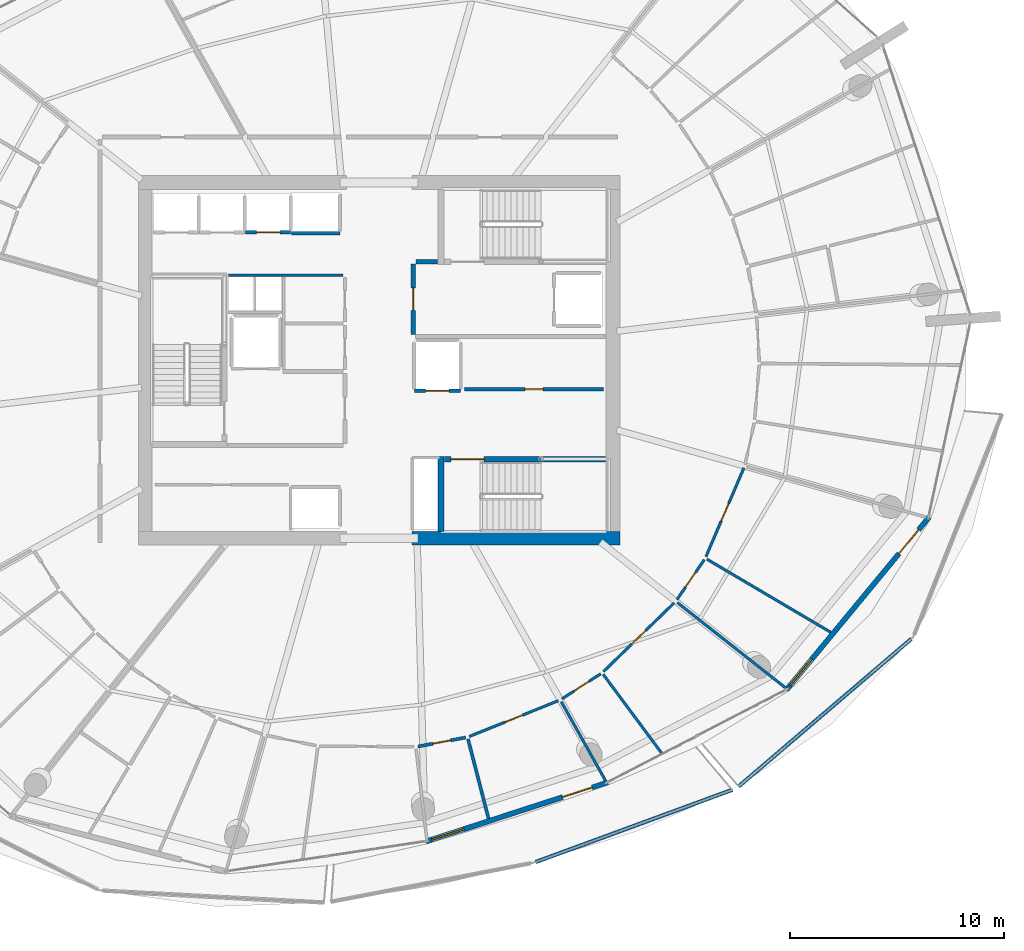
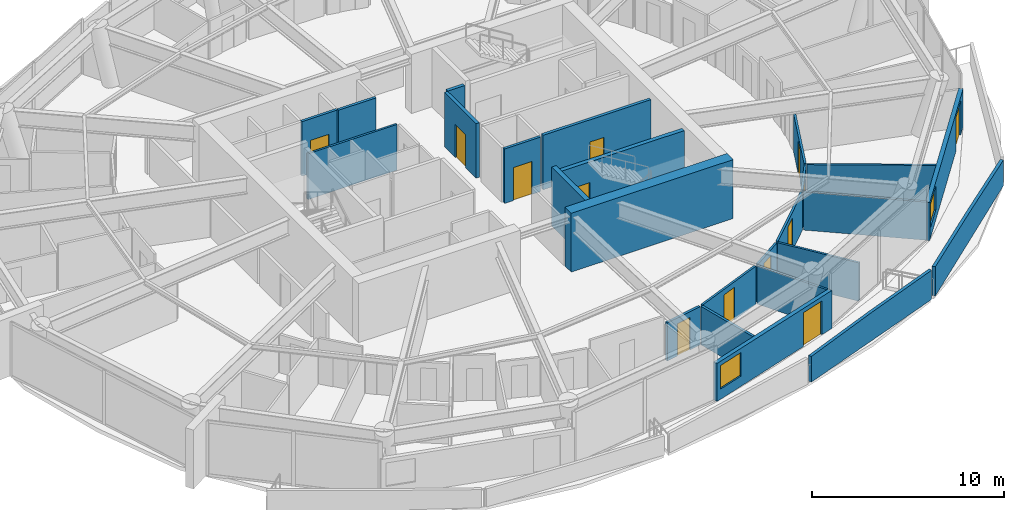
# One storey, part 12 of 20: 25 walls, 13 doors, 2 windows, 15 openings.
"""IFC4 building model written with IfcOpenShell, lengths in metres."""

import ifcopenshell
import ifcopenshell.guid

model = None  # the IFC model being written
_history = None  # IfcOwnerHistory: only IFC2X3 demands one
_inside = {}  # id of a spatial element -> (the spatial element, [elements in it])
_under = {}  # id of a project, library or spatial element -> (it, [spatial elements below it])
_declared = {}  # id of a project -> (the project, [libraries it declares])
_typed = {}  # id of a type object -> (the type object, [elements of that type])
_made_of = {}  # id of a material, layer set ... -> (it, [elements and type objects made of it])


def new_model(schema):
    """Start an empty IFC model of exactly this schema.

    Asked for "IFC4X3", IfcOpenShell would pick the latest addendum, in which some entities
    have other attributes; the version numbers below select the first issue.
    IFC2X3 requires an IfcOwnerHistory on every rooted entity: one is made here for all.
    """
    global model, _history
    if schema == "IFC4X3":
        model = ifcopenshell.file(schema_version=(4, 3, 0, 0))
    else:
        model = ifcopenshell.file(schema=schema)
    _inside.clear()
    _under.clear()
    _declared.clear()
    _typed.clear()
    _made_of.clear()
    _history = None
    if model.schema == "IFC2X3":
        org = make("IfcOrganization", Name="unknown")
        user = make(
            "IfcPersonAndOrganization",
            ThePerson=make("IfcPerson", FamilyName="unknown"),
            TheOrganization=org,
        )
        app = make(
            "IfcApplication",
            ApplicationDeveloper=org,
            Version="unknown",
            ApplicationFullName="unknown",
            ApplicationIdentifier="unknown",
        )
        _history = make(
            "IfcOwnerHistory",
            OwningUser=user,
            OwningApplication=app,
            ChangeAction="ADDED",
            CreationDate=0,
        )
    return model


def make(cls, **values):
    """One entity of the class cls with the attributes given. An attribute that is None is left unset."""
    return model.create_entity(
        cls, **{name: value for name, value in values.items() if value is not None}
    )


def rooted(cls, **values):
    """An entity with a GlobalId (a new one), such as an element, a storey or a relation."""
    return make(cls, GlobalId=ifcopenshell.guid.new(), OwnerHistory=_history, **values)


def si_unit(unit_type, name, prefix=None):
    """IfcSIUnit, for example si_unit("LENGTHUNIT", "METRE", prefix="MILLI")."""
    return make("IfcSIUnit", UnitType=unit_type, Prefix=prefix, Name=name)


def assignment(units):
    """IfcUnitAssignment: the units of a project."""
    return None if units is None else make("IfcUnitAssignment", Units=units)


def point(xyz):
    """IfcCartesianPoint."""
    return None if xyz is None else make("IfcCartesianPoint", Coordinates=xyz)


def direction(xyz):
    """IfcDirection."""
    return None if xyz is None else make("IfcDirection", DirectionRatios=xyz)


def frame(location, z_axis=None, x_axis=None):
    """IfcAxis2Placement3D, a coordinate frame: its origin and axes. An axis left out is left unset."""
    return make(
        "IfcAxis2Placement3D",
        Location=point(location),
        Axis=direction(z_axis),
        RefDirection=direction(x_axis),
    )


def frame_2d(location, x_axis=None):
    """IfcAxis2Placement2D, a coordinate frame in the plane: its origin and x axis."""
    return make(
        "IfcAxis2Placement2D", Location=point(location), RefDirection=direction(x_axis)
    )


def origin():
    """The frame at (0, 0, 0) with its axes left unset."""
    return frame((0.0, 0.0, 0.0))


def place(relative_to, where):
    """IfcLocalPlacement: puts the frame where relative to a parent placement (None: the world)."""
    return make(
        "IfcLocalPlacement", PlacementRelTo=relative_to, RelativePlacement=where
    )


def context(
    kind, dimensions, precision=None, world=None, true_north=None, identifier=None
):
    """IfcGeometricRepresentationContext, for example the 3D "Model" context."""
    return make(
        "IfcGeometricRepresentationContext",
        ContextIdentifier=identifier,
        ContextType=kind,
        CoordinateSpaceDimension=dimensions,
        Precision=precision,
        WorldCoordinateSystem=world,
        TrueNorth=true_north,
    )


def subcontext(parent, identifier, kind, view, scale=None):
    """IfcGeometricRepresentationSubContext, for example "Body" below "Model"."""
    return make(
        "IfcGeometricRepresentationSubContext",
        ContextIdentifier=identifier,
        ContextType=kind,
        ParentContext=parent,
        TargetScale=scale,
        TargetView=view,
    )


def project(units=None, contexts=None):
    """IfcProject with its units and contexts."""
    return rooted(
        "IfcProject",
        Name="project",
        RepresentationContexts=contexts,
        UnitsInContext=assignment(units),
    )


def spatial(cls, under=None, at=None, **own):
    """A site, building, storey or space (cls), placed at a placement, below another one or the project."""
    s = rooted(cls, ObjectPlacement=at, **own)
    if under is not None:
        _under.setdefault(under.id(), (under, []))[1].append(s)
    return s


def polyline(points):
    """IfcPolyline through the points."""
    return make("IfcPolyline", Points=[point(p) for p in points])


def profile(cls, at=None, kind="AREA", **sizes):
    """A parametric profile (cls). Its sizes go by their IFC names, for example OverallWidth=200.0."""
    return make(cls, ProfileType=kind, Position=at, **sizes)


def rectangle(**sizes):
    """IfcRectangleProfileDef."""
    return profile("IfcRectangleProfileDef", **sizes)


def outline(outer, holes=None, kind="AREA"):
    """IfcArbitraryClosedProfileDef: a profile drawn as a closed curve; with holes, ...WithVoids."""
    if holes is None:
        return make("IfcArbitraryClosedProfileDef", ProfileType=kind, OuterCurve=outer)
    return make(
        "IfcArbitraryProfileDefWithVoids",
        ProfileType=kind,
        OuterCurve=outer,
        InnerCurves=holes,
    )


def extrude(swept, where, along, depth):
    """IfcExtrudedAreaSolid: the profile swept, set in the frame where, extruded along a direction by depth."""
    return make(
        "IfcExtrudedAreaSolid",
        SweptArea=swept,
        Position=where,
        ExtrudedDirection=direction(along),
        Depth=depth,
    )


def shape(context_of_items, identifier, shape_type, items):
    """IfcShapeRepresentation: the items that make up one representation, for example the "Body"."""
    return make(
        "IfcShapeRepresentation",
        ContextOfItems=context_of_items,
        RepresentationIdentifier=identifier,
        RepresentationType=shape_type,
        Items=items,
    )


def material(Name=None, Category=None):
    """IfcMaterial."""
    return make("IfcMaterial", Name=Name, Category=Category)


def layer(
    of_material, thickness, ventilated=None, Name=None, Category=None, Priority=None
):
    """IfcMaterialLayer: one layer of a wall or slab, of a material (None: an air gap)."""
    return make(
        "IfcMaterialLayer",
        Material=of_material,
        LayerThickness=thickness,
        IsVentilated=ventilated,
        Name=Name,
        Category=Category,
        Priority=Priority,
    )


def layer_set(layers, Name=None):
    """IfcMaterialLayerSet."""
    return make("IfcMaterialLayerSet", MaterialLayers=layers, LayerSetName=Name)


def made_of(thing, what):
    """Note that an element or type object is made of a material, layer set ...; save() writes the relation."""
    if what is not None:
        _made_of.setdefault(what.id(), (what, []))[1].append(thing)
    return thing


def type_object(cls, material=None, **own):
    """A type object (cls), such as IfcWallType, which elements share."""
    return made_of(rooted(cls, **own), material)


def element(
    cls,
    number,
    at=None,
    inside=None,
    cuts=None,
    type_object=None,
    material=None,
    context=None,
    identifier="Body",
    shape_type=None,
    held_by="IfcProductDefinitionShape",
    body=None,
    shapes=None,
    **own,
):
    """One element of the class cls, such as IfcWall. Its Tag is "e" and its number.

    at: its placement. inside: the storey or other place that contains it. cuts: it is an
    opening in that element (IfcRelVoidsElement). A single representation is given by context,
    identifier, shape_type and body (its items); several are given by shapes. held_by: the class
    of the entity that holds the representations. save() writes the other relations.
    """
    e = rooted(cls, Tag="e%d" % number, ObjectPlacement=at, **own)
    if body is not None:
        shapes = [shape(context, identifier, shape_type, body)]
    if shapes is not None:
        e.Representation = make(held_by, Representations=shapes)
    if inside is not None:
        _inside.setdefault(inside.id(), (inside, []))[1].append(e)
    if cuts is not None:
        rooted(
            "IfcRelVoidsElement", RelatingBuildingElement=cuts, RelatedOpeningElement=e
        )
    if type_object is not None:
        _typed.setdefault(type_object.id(), (type_object, []))[1].append(e)
    return made_of(e, material)


def fill(opening, filler):
    """IfcRelFillsElement: the door or window that sits in an opening."""
    return rooted(
        "IfcRelFillsElement",
        RelatingOpeningElement=opening,
        RelatedBuildingElement=filler,
    )


def aggregate(whole, parts):
    """IfcRelAggregates: a whole, such as a stair, and the parts it consists of."""
    return rooted("IfcRelAggregates", RelatingObject=whole, RelatedObjects=parts)


def save(model, path):
    """Write the relations noted so far, then the file.

    IfcRelAggregates (storeys below a building ...), IfcRelContainedInSpatialStructure (elements
    in a storey), IfcRelDefinesByType, IfcRelAssociatesMaterial and IfcRelDeclares: one each for
    every whole, place, type object, material and project.
    """
    for whole, parts in _under.values():
        aggregate(whole, parts)
    for where, things in _inside.values():
        rooted(
            "IfcRelContainedInSpatialStructure",
            RelatedElements=things,
            RelatingStructure=where,
        )
    for kind, things in _typed.values():
        rooted("IfcRelDefinesByType", RelatedObjects=things, RelatingType=kind)
    for what, things in _made_of.values():
        rooted("IfcRelAssociatesMaterial", RelatedObjects=things, RelatingMaterial=what)
    for by, libraries in _declared.values():
        rooted("IfcRelDeclares", RelatingContext=by, RelatedDefinitions=libraries)
    model.write(path)


model = new_model("IFC4")

# Units and contexts
model_context = context("Model", 3, precision=1e-05, world=origin(), true_north=direction((0.0, 1.0)))
body_context = subcontext(model_context, "Body", "Model", "MODEL_VIEW")
ifc_project = project(units=[si_unit("LENGTHUNIT", "METRE"), si_unit("AREAUNIT", "SQUARE_METRE"), si_unit("VOLUMEUNIT", "CUBIC_METRE"), si_unit("PLANEANGLEUNIT", "RADIAN"), si_unit("MASSUNIT", "GRAM", prefix="KILO")], contexts=[model_context])

# Site, building, storey
site_placement = place(None, origin())
site = spatial("IfcSite", under=ifc_project, at=site_placement, CompositionType="ELEMENT")
building_placement = place(site_placement, origin())
building = spatial("IfcBuilding", under=site, at=building_placement, Name="Kazma Halo Residences", CompositionType="ELEMENT")
storey_placement = place(building_placement, frame((0.0, 0.0, 221.550048828125)))
storey = spatial("IfcBuildingStorey", under=building, at=storey_placement, Name="L56", CompositionType="ELEMENT", Elevation=221.550048828125)

# Walls
ifc_material_1 = material(Name="White Concrete C50/60 Balustrade", Category="concrete")
ifc_layer_1 = layer(ifc_material_1, 0.179931640625)
ifc_layer_set_1 = layer_set([ifc_layer_1], Name="White Concrete C50/60 Balustrade")
wall_type_1 = type_object("IfcWallType", Name="WL-BAL-WAVE-180", PredefinedType="PARAPET", material=ifc_layer_set_1)
wall_1_placement = place(storey_placement, frame((55.755615234375, 18.518310546875, 0.0), z_axis=(0.0, 0.0, 1.0), x_axis=(0.938669265972, 0.344818806214, 0.0)))
element("IfcWall", 1, at=wall_1_placement, inside=storey, type_object=wall_type_1, Name="L56 white wave balustrade wall SSE.2", PredefinedType="PARAPET", context=body_context, shape_type="SweptSolid", body=[
    extrude(outline(polyline([(0.0, 0.0), (9.802734375, 0.0), (9.802490234375, 1.85986328125), (4.9013671875, 1.7978515625), (0.0, 1.6318359375), (0.0, 0.0)])), frame((0.0, 0.08984375, 0.0), z_axis=(0.0, -1.0, 0.0), x_axis=(1.0, 0.0, 0.0)), (0.0, 0.0, 1.0), 0.179931640625),
])
wall_2_placement = place(storey_placement, frame((65.248291015625, 22.052978515625, 0.0), z_axis=(0.0, 0.0, 1.0), x_axis=(0.760227532438, 0.649656908624, 0.0)))
element("IfcWall", 2, at=wall_2_placement, inside=storey, type_object=wall_type_1, Name="L56 white wave balustrade wall SE.1", PredefinedType="PARAPET", context=body_context, shape_type="SweptSolid", body=[
    extrude(outline(polyline([(0.0, 0.0), (10.640380859375, 0.0), (10.640380859375, 1.6318359375), (5.3203125, 1.7978515625), (0.0, 1.85986328125), (0.0, 0.0)])), frame((0.0, 0.08984375, 0.0), z_axis=(0.0, -1.0, 0.0), x_axis=(1.0, 0.0, 0.0)), (0.0, 0.0, 1.0), 0.179931640625),
])
ifc_material_2 = material(Name="Concrete C60/75", Category="concrete")
ifc_layer_2 = layer(ifc_material_2, 0.64990234375)
ifc_layer_set_2 = layer_set([ifc_layer_2], Name="Concrete C60/75")
wall_type_2 = type_object("IfcWallType", Name="WL-CORE-650", PredefinedType="SHEAR", material=ifc_layer_set_2)
wall_3_placement = place(storey_placement, frame((49.949951171875, 33.675048828125, 0.0), z_axis=(0.0, 0.0, 1.0), x_axis=(1.0, 0.0, 0.0)))
element("IfcWall", 3, at=wall_3_placement, inside=storey, type_object=wall_type_2, Name="L56 central core shear wall SE", PredefinedType="SHEAR", context=body_context, shape_type="SweptSolid", body=[
    extrude(rectangle(XDim=9.75, YDim=0.64990234375, at=frame_2d((4.875, 0.0))), origin(), (0.0, 0.0, 1.0), 3.75),
])
ifc_layer_3 = layer(ifc_material_2, 0.280029296875)
ifc_layer_set_3 = layer_set([ifc_layer_3], Name="Concrete C60/75")
wall_type_3 = type_object("IfcWallType", Name="WL-CORE-ST-280", PredefinedType="SHEAR", material=ifc_layer_set_3)
wall_4_placement = place(storey_placement, frame((51.31005859375, 34.0, 0.0), z_axis=(0.0, 0.0, 1.0), x_axis=(0.0, 1.0, 0.0)))
element("IfcWall", 4, at=wall_4_placement, inside=storey, type_object=wall_type_3, Name="L56 stairwell bearing wall ST03-W", PredefinedType="SHEAR", context=body_context, shape_type="SweptSolid", body=[
    extrude(rectangle(XDim=3.5, YDim=0.280029296875, at=frame_2d((1.75, 0.0))), origin(), (0.0, 0.0, 1.0), 3.75),
])

# Wall, openings, door, window
ifc_material_3 = material(Name="Insulated Pale-Metal Composite Wall")
ifc_layer_4 = layer(ifc_material_3, 0.239990234375)
ifc_layer_set_4 = layer_set([ifc_layer_4], Name="Insulated Pale-Metal Composite Wall")
wall_type_4 = type_object("IfcWallType", Name="WL-EXT-HOST-240", PredefinedType="SOLIDWALL", material=ifc_layer_set_4)
wall_5_placement = place(storey_placement, frame((50.61572265625, 19.481201171875, 0.0), z_axis=(0.0, 0.0, 1.0), x_axis=(0.951058543936, 0.309010753869, 0.0)))
wall_5 = element("IfcWall", 5, at=wall_5_placement, inside=storey, type_object=wall_type_4, Name="L56 exterior terrace-access wall B12", PredefinedType="SOLIDWALL", context=body_context, shape_type="SweptSolid", body=[
    extrude(rectangle(XDim=8.942138671875, YDim=0.239990234375, at=frame_2d((4.47119140625, 0.0))), origin(), (0.0, 0.0, 1.0), 2.419921875),
])
opening_1_placement = place(wall_5_placement, frame((6.721923828125, 0.0, 0.0)))
opening_1 = element("IfcOpeningElement", 6, at=opening_1_placement, cuts=wall_5, Name="Opening DTR-1600", PredefinedType="OPENING", context=body_context, shape_type="SweptSolid", body=[
    extrude(rectangle(XDim=1.449951171875, YDim=2.14990234375, at=frame_2d((0.72509765625, 1.074951171875))), frame((0.0, 0.1298828125, 0.0), z_axis=(0.0, -1.0, 0.0), x_axis=(1.0, 0.0, 0.0)), (0.0, 0.0, 1.0), 0.260009765625),
])
opening_2_placement = place(wall_5_placement, frame((0.280029296875, 0.0, 0.64990234375)))
opening_2 = element("IfcOpeningElement", 7, at=opening_2_placement, cuts=wall_5, Name="Opening W-1800", PredefinedType="OPENING", context=body_context, shape_type="SweptSolid", body=[
    extrude(rectangle(XDim=1.60009765625, YDim=1.5, at=frame_2d((0.800048828125, 0.75))), frame((0.0, 0.1298828125, 0.0), z_axis=(0.0, -1.0, 0.0), x_axis=(1.0, 0.0, 0.0)), (0.0, 0.0, 1.0), 0.260009765625),
])
ifc_material_4 = material(Name="Aluminium AW-6063 T6 Double-Glazed Terrace Door", Category="aluminium")
door_type_1 = type_object("IfcDoorType", Name="DR-EXT-TERR-1600", OperationType="NOTDEFINED", PredefinedType="DOOR", material=ifc_material_4)
door_1_placement = place(opening_1_placement, origin())
door_1 = element("IfcDoor", 8, at=door_1_placement, inside=storey, type_object=door_type_1, Name="L56 B12 balcony terrace door", OperationType="DOUBLE_DOOR_SLIDING", OverallHeight=2.14990234375, OverallWidth=1.449951171875, PredefinedType="DOOR", context=body_context, shape_type="SweptSolid", body=[
    extrude(rectangle(XDim=1.449951171875, YDim=2.14990234375, at=frame_2d((0.72509765625, 1.074951171875))), frame((0.0, 0.02490234375, 0.0), z_axis=(0.0, -1.0, 0.0), x_axis=(1.0, 0.0, 0.0)), (0.0, 0.0, 1.0), 0.050048828125),
])
fill(opening_1, door_1)
ifc_material_5 = material(Name="Clear Triple-Silver Low-E Glass in Aluminium AW-6063 T6 Frame", Category="aluminium")
window_type = type_object("IfcWindowType", Name="WIN-RES-1800", PartitioningType="DOUBLE_PANEL_VERTICAL", PredefinedType="WINDOW", material=ifc_material_5)
window_1_placement = place(opening_2_placement, origin())
window_1 = element("IfcWindow", 9, at=window_1_placement, inside=storey, type_object=window_type, Name="L56 B12 apartment window", OverallHeight=1.5, OverallWidth=1.60009765625, PartitioningType="SINGLE_PANEL", PredefinedType="WINDOW", context=body_context, shape_type="SweptSolid", body=[
    extrude(rectangle(XDim=1.60009765625, YDim=1.5, at=frame_2d((0.800048828125, 0.75))), frame((0.0, 0.030029296875, 0.0), z_axis=(0.0, -1.0, 0.0), x_axis=(1.0, 0.0, 0.0)), (0.0, 0.0, 1.0), 0.06005859375),
])
fill(opening_2, window_1)

wall_6_placement = place(storey_placement, frame((67.485107421875, 26.57568359375, 0.0), z_axis=(0.0, 0.0, 1.0), x_axis=(0.636759394418, 0.771062561418, 0.0)))
wall_6 = element("IfcWall", 10, at=wall_6_placement, inside=storey, type_object=wall_type_4, Name="L56 exterior terrace-access wall B14", PredefinedType="SOLIDWALL", context=body_context, shape_type="SweptSolid", body=[
    extrude(rectangle(XDim=10.494384765625, YDim=0.239990234375, at=frame_2d((5.2470703125, 0.0))), origin(), (0.0, 0.0, 1.0), 2.419921875),
])
opening_3_placement = place(wall_6_placement, frame((8.2744140625, 0.0, 0.0)))
opening_3 = element("IfcOpeningElement", 11, at=opening_3_placement, cuts=wall_6, Name="Opening DTR-1600", PredefinedType="OPENING", context=body_context, shape_type="SweptSolid", body=[
    extrude(rectangle(XDim=1.449951171875, YDim=2.14990234375, at=frame_2d((0.72509765625, 1.074951171875))), frame((0.0, 0.1298828125, 0.0), z_axis=(0.0, -1.0, 0.0), x_axis=(1.0, 0.0, 0.0)), (0.0, 0.0, 1.0), 0.260009765625),
])
opening_4_placement = place(wall_6_placement, frame((0.280029296875, 0.0, 0.64990234375)))
opening_4 = element("IfcOpeningElement", 12, at=opening_4_placement, cuts=wall_6, Name="Opening W-1800", PredefinedType="OPENING", context=body_context, shape_type="SweptSolid", body=[
    extrude(rectangle(XDim=1.60009765625, YDim=1.5, at=frame_2d((0.800048828125, 0.75))), frame((0.0, 0.1298828125, 0.0), z_axis=(0.0, -1.0, 0.0), x_axis=(1.0, 0.0, 0.0)), (0.0, 0.0, 1.0), 0.260009765625),
])
door_2_placement = place(opening_3_placement, origin())
door_2 = element("IfcDoor", 13, at=door_2_placement, inside=storey, type_object=door_type_1, Name="L56 B14 balcony terrace door", OperationType="DOUBLE_DOOR_SLIDING", OverallHeight=2.14990234375, OverallWidth=1.449951171875, PredefinedType="DOOR", context=body_context, shape_type="SweptSolid", body=[
    extrude(rectangle(XDim=1.449951171875, YDim=2.14990234375, at=frame_2d((0.72509765625, 1.074951171875))), frame((0.0, 0.02490234375, 0.0), z_axis=(0.0, -1.0, 0.0), x_axis=(1.0, 0.0, 0.0)), (0.0, 0.0, 1.0), 0.050048828125),
])
fill(opening_3, door_2)
window_2_placement = place(opening_4_placement, origin())
window_2 = element("IfcWindow", 14, at=window_2_placement, inside=storey, type_object=window_type, Name="L56 B14 apartment window", OverallHeight=1.5, OverallWidth=1.60009765625, PartitioningType="SINGLE_PANEL", PredefinedType="WINDOW", context=body_context, shape_type="SweptSolid", body=[
    extrude(rectangle(XDim=1.60009765625, YDim=1.5, at=frame_2d((0.800048828125, 0.75))), frame((0.0, 0.030029296875, 0.0), z_axis=(0.0, -1.0, 0.0), x_axis=(1.0, 0.0, 0.0)), (0.0, 0.0, 1.0), 0.06005859375),
])
fill(opening_4, window_2)

# Wall, opening, door
ifc_material_6 = material(Name="Fire-Rated Blockwork Masonry", Category="masonry")
ifc_layer_5 = layer(ifc_material_6, 0.199951171875)
ifc_layer_set_5 = layer_set([ifc_layer_5], Name="Fire-Rated Blockwork Masonry")
wall_type_5 = type_object("IfcWallType", Name="WL-FLB-200", PredefinedType="PARTITIONING", material=ifc_layer_set_5)
wall_7_placement = place(storey_placement, frame((44.27490234375, 47.9951171875, 0.0), z_axis=(0.0, 0.0, 1.0), x_axis=(-1.0, 0.0, 0.0)))
wall_7 = element("IfcWall", 15, at=wall_7_placement, inside=storey, type_object=wall_type_5, Name="L56 lift shaft PM-03 front wall", PredefinedType="PARTITIONING", context=body_context, shape_type="SweptSolid", body=[
    extrude(rectangle(XDim=2.10986328125, YDim=0.159912109375, at=frame_2d((1.054931640625, 0.0))), origin(), (0.0, 0.0, 1.0), 3.469970703125),
])
opening_5_placement = place(wall_7_placement, frame((0.5048828125, 0.0, 0.0)))
opening_5 = element("IfcOpeningElement", 16, at=opening_5_placement, cuts=wall_7, Name="Opening LD-PM-03", PredefinedType="OPENING", context=body_context, shape_type="SweptSolid", body=[
    extrude(rectangle(XDim=1.10009765625, YDim=2.10009765625, at=frame_2d((0.550048828125, 1.050048828125))), frame((0.0, 0.08984375, 0.0), z_axis=(0.0, -1.0, 0.0), x_axis=(1.0, 0.0, 0.0)), (0.0, 0.0, 1.0), 0.179931640625),
])
ifc_material_7 = material(Name="Stainless Steel Fire-Rated", Category="steel")
door_type_2 = type_object("IfcDoorType", Name="DR-LIFT-SLD-1100", OperationType="DOUBLE_DOOR_SLIDING", PredefinedType="DOOR", material=ifc_material_7)
door_3_placement = place(opening_5_placement, origin())
door_3 = element("IfcDoor", 17, at=door_3_placement, inside=storey, type_object=door_type_2, Name="L56 lift PM-03 sliding landing door", OperationType="DOUBLE_DOOR_SLIDING", OverallHeight=2.10009765625, OverallWidth=1.10009765625, PredefinedType="DOOR", context=body_context, shape_type="SweptSolid", body=[
    extrude(rectangle(XDim=1.10009765625, YDim=2.10009765625, at=frame_2d((0.550048828125, 1.050048828125))), frame((0.0, 0.02490234375, 0.0), z_axis=(0.0, -1.0, 0.0), x_axis=(1.0, 0.0, 0.0)), (0.0, 0.0, 1.0), 0.050048828125),
])
fill(opening_5, door_3)

# Wall
wall_8_placement = place(storey_placement, frame((46.580078125, 47.945068359375, 0.0), z_axis=(0.0, 0.0, 1.0), x_axis=(-1.0, 0.0, 0.0)))
element("IfcWall", 18, at=wall_8_placement, inside=storey, type_object=wall_type_5, Name="L56 lift shaft PX-01 front wall", PredefinedType="PARTITIONING", context=body_context, shape_type="SweptSolid", body=[
    extrude(rectangle(XDim=2.260009765625, YDim=0.159912109375, at=frame_2d((1.1298828125, 0.0))), origin(), (0.0, 0.0, 1.0), 3.469970703125),
])

# Wall, opening, door
wall_9_placement = place(storey_placement, frame((52.22998046875, 40.570068359375, 0.0), z_axis=(0.0, 0.0, 1.0), x_axis=(-1.0, 0.0, 0.0)))
wall_9 = element("IfcWall", 19, at=wall_9_placement, inside=storey, type_object=wall_type_5, Name="L56 lift shaft SV-01 front wall", PredefinedType="PARTITIONING", context=body_context, shape_type="SweptSolid", body=[
    extrude(rectangle(XDim=2.159912109375, YDim=0.159912109375, at=frame_2d((1.080078125, 0.0))), origin(), (0.0, 0.0, 1.0), 3.469970703125),
])
opening_6_placement = place(wall_9_placement, frame((0.530029296875, 0.0, 0.0)))
opening_6 = element("IfcOpeningElement", 20, at=opening_6_placement, cuts=wall_9, Name="Opening LD-SV-01", PredefinedType="OPENING", context=body_context, shape_type="SweptSolid", body=[
    extrude(rectangle(XDim=1.10009765625, YDim=2.10009765625, at=frame_2d((0.550048828125, 1.050048828125))), frame((0.0, 0.08984375, 0.0), z_axis=(0.0, -1.0, 0.0), x_axis=(1.0, 0.0, 0.0)), (0.0, 0.0, 1.0), 0.179931640625),
])
door_4_placement = place(opening_6_placement, origin())
door_4 = element("IfcDoor", 21, at=door_4_placement, inside=storey, type_object=door_type_2, Name="L56 lift SV-01 sliding landing door", OperationType="DOUBLE_DOOR_SLIDING", OverallHeight=2.10009765625, OverallWidth=1.10009765625, PredefinedType="DOOR", context=body_context, shape_type="SweptSolid", body=[
    extrude(rectangle(XDim=1.10009765625, YDim=2.10009765625, at=frame_2d((0.550048828125, 1.050048828125))), frame((0.0, 0.02490234375, 0.0), z_axis=(0.0, -1.0, 0.0), x_axis=(1.0, 0.0, 0.0)), (0.0, 0.0, 1.0), 0.050048828125),
])
fill(opening_6, door_4)

wall_10_placement = place(storey_placement, frame((52.419921875, 40.64990234375, 0.0), z_axis=(0.0, 0.0, 1.0), x_axis=(1.0, 0.0, 0.0)))
wall_10 = element("IfcWall", 22, at=wall_10_placement, inside=storey, type_object=wall_type_5, Name="L56 core east reserve wall", PredefinedType="PARTITIONING", context=body_context, shape_type="SweptSolid", body=[
    extrude(rectangle(XDim=6.5, YDim=0.179931640625, at=frame_2d((3.25, 0.0))), origin(), (0.0, 0.0, 1.0), 3.469970703125),
])
opening_7_placement = place(wall_10_placement, frame((2.824951171875, 0.0, 0.0)))
opening_7 = element("IfcOpeningElement", 23, at=opening_7_placement, cuts=wall_10, Name="Opening DS-850", PredefinedType="OPENING", context=body_context, shape_type="SweptSolid", body=[
    extrude(rectangle(XDim=0.85009765625, YDim=2.06005859375, at=frame_2d((0.425048828125, 1.030029296875))), frame((0.0, 0.099853515625, 0.0), z_axis=(0.0, -1.0, 0.0), x_axis=(1.0, 0.0, 0.0)), (0.0, 0.0, 1.0), 0.199951171875),
])
ifc_material_8 = material(Name="Painted Steel Access Leaf", Category="steel")
door_type_3 = type_object("IfcDoorType", Name="DR-SVC-850", OperationType="NOTDEFINED", PredefinedType="DOOR", material=ifc_material_8)
door_5_placement = place(opening_7_placement, origin())
door_5 = element("IfcDoor", 24, at=door_5_placement, inside=storey, type_object=door_type_3, Name="L56 core east reserve door", OperationType="SINGLE_SWING_LEFT", OverallHeight=2.06005859375, OverallWidth=0.85009765625, PredefinedType="DOOR", context=body_context, shape_type="SweptSolid", body=[
    extrude(rectangle(XDim=0.85009765625, YDim=2.06005859375, at=frame_2d((0.425048828125, 1.030029296875))), frame((0.0, 0.02490234375, 0.0), z_axis=(0.0, -1.0, 0.0), x_axis=(1.0, 0.0, 0.0)), (0.0, 0.0, 1.0), 0.050048828125),
])
fill(opening_7, door_5)

# Wall
wall_11_placement = place(storey_placement, frame((50.139892578125, 46.6201171875, 0.0), z_axis=(0.0, 0.0, 1.0), x_axis=(1.0, 0.0, 0.0)))
element("IfcWall", 25, at=wall_11_placement, inside=storey, type_object=wall_type_5, Name="L56 east firefighting lobby north closure wall", PredefinedType="PARTITIONING", context=body_context, shape_type="SweptSolid", body=[
    extrude(rectangle(XDim=1.02001953125, YDim=0.199951171875, at=frame_2d((0.510009765625, 0.0))), origin(), (0.0, 0.0, 1.0), 3.469970703125),
])

# Wall, opening, door
wall_12_placement = place(storey_placement, frame((50.02001953125, 43.219970703125, 0.0), z_axis=(0.0, 0.0, 1.0), x_axis=(0.0, 1.0, 0.0)))
wall_12 = element("IfcWall", 26, at=wall_12_placement, inside=storey, type_object=wall_type_5, Name="L56 east firefighting lobby smoke wall", PredefinedType="PARTITIONING", context=body_context, shape_type="SweptSolid", body=[
    extrude(rectangle(XDim=3.300048828125, YDim=0.199951171875, at=frame_2d((1.64990234375, 0.0))), origin(), (0.0, 0.0, 1.0), 3.469970703125),
])
opening_8_placement = place(wall_12_placement, frame((1.125, 0.0, 0.0)))
opening_8 = element("IfcOpeningElement", 27, at=opening_8_placement, cuts=wall_12, Name="Opening D-FLE", PredefinedType="OPENING", context=body_context, shape_type="SweptSolid", body=[
    extrude(rectangle(XDim=1.050048828125, YDim=2.10009765625, at=frame_2d((0.52490234375, 1.050048828125))), frame((0.0, 0.10986328125, 0.0), z_axis=(0.0, -1.0, 0.0), x_axis=(1.0, 0.0, 0.0)), (0.0, 0.0, 1.0), 0.219970703125),
])
ifc_material_9 = material(Name="Fire-Rated Steel Leaf", Category="steel")
door_type_4 = type_object("IfcDoorType", Name="DR-FD90-1050", OperationType="NOTDEFINED", PredefinedType="DOOR", material=ifc_material_9)
door_6_placement = place(opening_8_placement, origin())
door_6 = element("IfcDoor", 28, at=door_6_placement, inside=storey, type_object=door_type_4, Name="L56 east firefighting lobby smoke door", OperationType="SINGLE_SWING_RIGHT", OverallHeight=2.10009765625, OverallWidth=1.050048828125, PredefinedType="DOOR", context=body_context, shape_type="SweptSolid", body=[
    extrude(rectangle(XDim=1.050048828125, YDim=2.10009765625, at=frame_2d((0.52490234375, 1.050048828125))), frame((0.0, 0.02490234375, 0.0), z_axis=(0.0, -1.0, 0.0), x_axis=(1.0, 0.0, 0.0)), (0.0, 0.0, 1.0), 0.050048828125),
])
fill(opening_8, door_6)

# Wall
ifc_material_10 = material(Name="Gypsum Plasterboard Partition")
ifc_layer_6 = layer(ifc_material_10, 0.125)
ifc_layer_set_6 = layer_set([ifc_layer_6], Name="Gypsum Plasterboard Partition")
wall_type_6 = type_object("IfcWallType", Name="WL-PART-125", PredefinedType="PARTITIONING", material=ifc_layer_set_6)
wall_13_placement = place(storey_placement, frame((41.360107421875, 45.97998046875, 0.0), z_axis=(0.0, 0.0, 1.0), x_axis=(1.0, 0.0, 0.0)))
element("IfcWall", 29, at=wall_13_placement, inside=storey, type_object=wall_type_6, Name="L56 core north riser wall", PredefinedType="PARTITIONING", context=body_context, shape_type="SweptSolid", body=[
    extrude(rectangle(XDim=5.35986328125, YDim=0.125, at=frame_2d((2.679931640625, 0.0))), origin(), (0.0, 0.0, 1.0), 2.909912109375),
])

# Wall, opening, door
wall_14_placement = place(storey_placement, frame((52.6416015625, 24.39599609375, 0.0), z_axis=(0.0, 0.0, 1.0), x_axis=(0.928022245897, 0.372524779202, 0.0)))
wall_14 = element("IfcWall", 30, at=wall_14_placement, inside=storey, type_object=wall_type_6, Name="L56 Apartment 3 South Master Bedroom hall wall", PredefinedType="PARTITIONING", context=body_context, shape_type="SweptSolid", body=[
    extrude(rectangle(XDim=4.489990234375, YDim=0.125, at=frame_2d((2.2451171875, 0.0))), origin(), (0.0, 0.0, 1.0), 2.427001953125),
])
opening_9_placement = place(wall_14_placement, frame((1.794921875, 0.0, 0.0)))
opening_9 = element("IfcOpeningElement", 31, at=opening_9_placement, cuts=wall_14, Name="Opening DI-950", PredefinedType="OPENING", context=body_context, shape_type="SweptSolid", body=[
    extrude(rectangle(XDim=0.89990234375, YDim=2.080078125, at=frame_2d((0.449951171875, 1.0400390625))), frame((0.0, 0.072509765625, 0.0), z_axis=(0.0, -1.0, 0.0), x_axis=(1.0, 0.0, 0.0)), (0.0, 0.0, 1.0), 0.14501953125),
])
ifc_material_11 = material(Name="Timber Veneer Flush Leaf", Category="wood")
door_type_5 = type_object("IfcDoorType", Name="DR-INT-950", OperationType="NOTDEFINED", PredefinedType="DOOR", material=ifc_material_11)
door_7_placement = place(opening_9_placement, origin())
door_7 = element("IfcDoor", 32, at=door_7_placement, inside=storey, type_object=door_type_5, Name="L56 Apartment 3 South Master Bedroom door", OperationType="SINGLE_SWING_RIGHT", OverallHeight=2.080078125, OverallWidth=0.89990234375, PredefinedType="DOOR", context=body_context, shape_type="SweptSolid", body=[
    extrude(rectangle(XDim=0.89990234375, YDim=2.080078125, at=frame_2d((0.449951171875, 1.0400390625))), frame((0.0, 0.02490234375, 0.0), z_axis=(0.0, -1.0, 0.0), x_axis=(1.0, 0.0, 0.0)), (0.0, 0.0, 1.0), 0.050048828125),
])
fill(opening_9, door_7)

# Walls
wall_15_placement = place(storey_placement, frame((56.9501953125, 26.0185546875, 0.0), z_axis=(0.0, 0.0, 1.0), x_axis=(0.488578696185, -0.87251983223, 0.0)))
element("IfcWall", 33, at=wall_15_placement, inside=storey, type_object=wall_type_6, Name="L56 Apartment 3 radial partition 12", PredefinedType="PARTITIONING", context=body_context, shape_type="SweptSolid", body=[
    extrude(rectangle(XDim=4.218505859375, YDim=0.125, at=frame_2d((2.109375, 0.0))), origin(), (0.0, 0.0, 1.0), 2.427001953125),
])
wall_16_placement = place(storey_placement, frame((58.9111328125, 27.2998046875, 0.0), z_axis=(0.0, 0.0, 1.0), x_axis=(0.596034279856, -0.802958988515, 0.0)))
element("IfcWall", 34, at=wall_16_placement, inside=storey, type_object=wall_type_6, Name="L56 Apartment 3 mid-bay wall 12", PredefinedType="PARTITIONING", context=body_context, shape_type="SweptSolid", body=[
    extrude(rectangle(XDim=4.6083984375, YDim=0.125, at=frame_2d((2.30419921875, 0.0))), origin(), (0.0, 0.0, 1.0), 2.445068359375),
])

# Wall, opening, door
wall_17_placement = place(storey_placement, frame((56.985107421875, 26.159912109375, 0.0), z_axis=(0.0, 0.0, 1.0), x_axis=(0.839433064988, 0.543463089275, 0.0)))
wall_17 = element("IfcWall", 35, at=wall_17_placement, inside=storey, type_object=wall_type_6, Name="L56 Apartment 3 Inner Bedroom hall wall", PredefinedType="PARTITIONING", context=body_context, shape_type="SweptSolid", body=[
    extrude(rectangle(XDim=2.150390625, YDim=0.125, at=frame_2d((1.0751953125, 0.0))), origin(), (0.0, 0.0, 1.0), 2.427001953125),
])
opening_10_placement = place(wall_17_placement, frame((0.650390625, 0.0, 0.0)))
opening_10 = element("IfcOpeningElement", 36, at=opening_10_placement, cuts=wall_17, Name="Opening DB-900", PredefinedType="OPENING", context=body_context, shape_type="SweptSolid", body=[
    extrude(rectangle(XDim=0.85009765625, YDim=2.06005859375, at=frame_2d((0.425048828125, 1.030029296875))), frame((0.0, 0.072509765625, 0.0), z_axis=(0.0, -1.0, 0.0), x_axis=(1.0, 0.0, 0.0)), (0.0, 0.0, 1.0), 0.14501953125),
])
ifc_material_12 = material(Name="Moisture-Sealed Timber Leaf", Category="wood")
door_type_6 = type_object("IfcDoorType", Name="DR-BTH-900", OperationType="NOTDEFINED", PredefinedType="DOOR", material=ifc_material_12)
door_8_placement = place(opening_10_placement, origin())
door_8 = element("IfcDoor", 37, at=door_8_placement, inside=storey, type_object=door_type_6, Name="L56 Apartment 3 Inner Bedroom door", OperationType="SINGLE_SWING_LEFT", OverallHeight=2.06005859375, OverallWidth=0.85009765625, PredefinedType="DOOR", context=body_context, shape_type="SweptSolid", body=[
    extrude(rectangle(XDim=0.85009765625, YDim=2.06005859375, at=frame_2d((0.425048828125, 1.030029296875))), frame((0.0, 0.02490234375, 0.0), z_axis=(0.0, -1.0, 0.0), x_axis=(1.0, 0.0, 0.0)), (0.0, 0.0, 1.0), 0.050048828125),
])
fill(opening_10, door_8)

wall_18_placement = place(storey_placement, frame((58.9150390625, 27.427978515625, 0.0), z_axis=(0.0, 0.0, 1.0), x_axis=(0.717293694641, 0.696770949185, 0.0)))
wall_18 = element("IfcWall", 38, at=wall_18_placement, inside=storey, type_object=wall_type_6, Name="L56 Apartment 3 Outer Bedroom hall wall", PredefinedType="PARTITIONING", context=body_context, shape_type="SweptSolid", body=[
    extrude(rectangle(XDim=4.627685546875, YDim=0.125, at=frame_2d((2.31396484375, 0.0))), origin(), (0.0, 0.0, 1.0), 2.427001953125),
])
opening_11_placement = place(wall_18_placement, frame((1.86376953125, 0.0, 0.0)))
opening_11 = element("IfcOpeningElement", 39, at=opening_11_placement, cuts=wall_18, Name="Opening DI-950", PredefinedType="OPENING", context=body_context, shape_type="SweptSolid", body=[
    extrude(rectangle(XDim=0.89990234375, YDim=2.080078125, at=frame_2d((0.449951171875, 1.0400390625))), frame((0.0, 0.072509765625, 0.0), z_axis=(0.0, -1.0, 0.0), x_axis=(1.0, 0.0, 0.0)), (0.0, 0.0, 1.0), 0.14501953125),
])
door_9_placement = place(opening_11_placement, origin())
door_9 = element("IfcDoor", 40, at=door_9_placement, inside=storey, type_object=door_type_5, Name="L56 Apartment 3 Outer Bedroom door", OperationType="SINGLE_SWING_RIGHT", OverallHeight=2.080078125, OverallWidth=0.89990234375, PredefinedType="DOOR", context=body_context, shape_type="SweptSolid", body=[
    extrude(rectangle(XDim=0.89990234375, YDim=2.080078125, at=frame_2d((0.449951171875, 1.0400390625))), frame((0.0, 0.02490234375, 0.0), z_axis=(0.0, -1.0, 0.0), x_axis=(1.0, 0.0, 0.0)), (0.0, 0.0, 1.0), 0.050048828125),
])
fill(opening_11, door_9)

# Walls
wall_19_placement = place(storey_placement, frame((62.384521484375, 30.66015625, 0.0), z_axis=(0.0, 0.0, 1.0), x_axis=(0.785323159094, -0.619086048777, 0.0)))
element("IfcWall", 41, at=wall_19_placement, inside=storey, type_object=wall_type_6, Name="L56 Apartment 3 radial partition 13", PredefinedType="PARTITIONING", context=body_context, shape_type="SweptSolid", body=[
    extrude(rectangle(XDim=6.510498046875, YDim=0.125, at=frame_2d((3.25537109375, 0.0))), origin(), (0.0, 0.0, 1.0), 2.427001953125),
])
wall_20_placement = place(storey_placement, frame((63.764892578125, 32.693359375, 0.0), z_axis=(0.0, 0.0, 1.0), x_axis=(0.861146221638, -0.508357339829, 0.0)))
element("IfcWall", 42, at=wall_20_placement, inside=storey, type_object=wall_type_6, Name="L56 Apartment 3 mid-bay wall 13", PredefinedType="PARTITIONING", context=body_context, shape_type="SweptSolid", body=[
    extrude(rectangle(XDim=6.72314453125, YDim=0.125, at=frame_2d((3.361572265625, 0.0))), origin(), (0.0, 0.0, 1.0), 2.445068359375),
])

# Wall, opening, door
wall_21_placement = place(storey_placement, frame((62.362548828125, 30.804443359375, 0.0), z_axis=(0.0, 0.0, 1.0), x_axis=(0.564981448435, 0.825103607388, 0.0)))
wall_21 = element("IfcWall", 43, at=wall_21_placement, inside=storey, type_object=wall_type_6, Name="L56 Apartment 3 Corner Bedroom hall wall", PredefinedType="PARTITIONING", context=body_context, shape_type="SweptSolid", body=[
    extrude(rectangle(XDim=2.2646484375, YDim=0.125, at=frame_2d((1.13232421875, 0.0))), origin(), (0.0, 0.0, 1.0), 2.427001953125),
])
opening_12_placement = place(wall_21_placement, frame((0.70751953125, 0.0, 0.0)))
opening_12 = element("IfcOpeningElement", 44, at=opening_12_placement, cuts=wall_21, Name="Opening DB-900", PredefinedType="OPENING", context=body_context, shape_type="SweptSolid", body=[
    extrude(rectangle(XDim=0.85009765625, YDim=2.06005859375, at=frame_2d((0.425048828125, 1.030029296875))), frame((0.0, 0.072509765625, 0.0), z_axis=(0.0, -1.0, 0.0), x_axis=(1.0, 0.0, 0.0)), (0.0, 0.0, 1.0), 0.14501953125),
])
door_10_placement = place(opening_12_placement, origin())
door_10 = element("IfcDoor", 45, at=door_10_placement, inside=storey, type_object=door_type_6, Name="L56 Apartment 3 Corner Bedroom door", OperationType="SINGLE_SWING_RIGHT", OverallHeight=2.06005859375, OverallWidth=0.85009765625, PredefinedType="DOOR", context=body_context, shape_type="SweptSolid", body=[
    extrude(rectangle(XDim=0.85009765625, YDim=2.06005859375, at=frame_2d((0.425048828125, 1.030029296875))), frame((0.0, 0.02490234375, 0.0), z_axis=(0.0, -1.0, 0.0), x_axis=(1.0, 0.0, 0.0)), (0.0, 0.0, 1.0), 0.050048828125),
])
fill(opening_12, door_10)

wall_22_placement = place(storey_placement, frame((63.718994140625, 32.812744140625, 0.0), z_axis=(0.0, 0.0, 1.0), x_axis=(0.393135871469, 0.91948038944, 0.0)))
wall_22 = element("IfcWall", 46, at=wall_22_placement, inside=storey, type_object=wall_type_6, Name="L56 Apartment 3 Garden Master Bedroom hall wall", PredefinedType="PARTITIONING", context=body_context, shape_type="SweptSolid", body=[
    extrude(rectangle(XDim=4.51416015625, YDim=0.125, at=frame_2d((2.257080078125, 0.0))), origin(), (0.0, 0.0, 1.0), 2.427001953125),
])
opening_13_placement = place(wall_22_placement, frame((1.80712890625, 0.0, 0.0)))
opening_13 = element("IfcOpeningElement", 47, at=opening_13_placement, cuts=wall_22, Name="Opening DI-950", PredefinedType="OPENING", context=body_context, shape_type="SweptSolid", body=[
    extrude(rectangle(XDim=0.89990234375, YDim=2.080078125, at=frame_2d((0.449951171875, 1.0400390625))), frame((0.0, 0.072509765625, 0.0), z_axis=(0.0, -1.0, 0.0), x_axis=(1.0, 0.0, 0.0)), (0.0, 0.0, 1.0), 0.14501953125),
])
door_11_placement = place(opening_13_placement, origin())
door_11 = element("IfcDoor", 48, at=door_11_placement, inside=storey, type_object=door_type_5, Name="L56 Apartment 3 Garden Master Bedroom door", OperationType="SINGLE_SWING_LEFT", OverallHeight=2.080078125, OverallWidth=0.89990234375, PredefinedType="DOOR", context=body_context, shape_type="SweptSolid", body=[
    extrude(rectangle(XDim=0.89990234375, YDim=2.080078125, at=frame_2d((0.449951171875, 1.0400390625))), frame((0.0, 0.02490234375, 0.0), z_axis=(0.0, -1.0, 0.0), x_axis=(1.0, 0.0, 0.0)), (0.0, 0.0, 1.0), 0.050048828125),
])
fill(opening_13, door_11)

ifc_material_13 = material(Name="Concrete C50/60", Category="concrete")
ifc_layer_7 = layer(ifc_material_13, 0.25)
ifc_layer_set_7 = layer_set([ifc_layer_7], Name="Concrete C50/60")
wall_type_7 = type_object("IfcWallType", Name="WL-SHF-250", PredefinedType="SOLIDWALL", material=ifc_layer_set_7)
wall_23_placement = place(storey_placement, frame((51.47998046875, 37.3798828125, 0.0), z_axis=(0.0, 0.0, 1.0), x_axis=(1.0, 0.0, 0.0)))
wall_23 = element("IfcWall", 49, at=wall_23_placement, inside=storey, type_object=wall_type_7, Name="L56 exit stair ST-03 enclosure wall", PredefinedType="SOLIDWALL", context=body_context, shape_type="SweptSolid", body=[
    extrude(rectangle(XDim=7.5400390625, YDim=0.25, at=frame_2d((3.77001953125, 0.0))), origin(), (0.0, 0.0, 1.0), 3.469970703125),
])
opening_14_placement = place(wall_23_placement, frame((0.300048828125, 0.0, 0.0)))
opening_14 = element("IfcOpeningElement", 50, at=opening_14_placement, cuts=wall_23, Name="Opening D-ST3", PredefinedType="OPENING", context=body_context, shape_type="SweptSolid", body=[
    extrude(rectangle(XDim=1.550048828125, YDim=2.14990234375, at=frame_2d((0.77490234375, 1.074951171875))), frame((0.0, 0.135009765625, 0.0), z_axis=(0.0, -1.0, 0.0), x_axis=(1.0, 0.0, 0.0)), (0.0, 0.0, 1.0), 0.27001953125),
])
ifc_material_14 = material(Name="Fire-Rated Double Steel Leaf", Category="steel")
door_type_7 = type_object("IfcDoorType", Name="DR-FD90-1550", OperationType="NOTDEFINED", PredefinedType="DOOR", material=ifc_material_14)
door_12_placement = place(opening_14_placement, origin())
door_12 = element("IfcDoor", 51, at=door_12_placement, inside=storey, type_object=door_type_7, Name="L56 exit stair ST-03 fire door", OperationType="DOUBLE_DOOR_SINGLE_SWING", OverallHeight=2.14990234375, OverallWidth=1.550048828125, PredefinedType="DOOR", context=body_context, shape_type="SweptSolid", body=[
    extrude(rectangle(XDim=1.550048828125, YDim=2.14990234375, at=frame_2d((0.77490234375, 1.074951171875))), frame((0.0, 0.02490234375, 0.0), z_axis=(0.0, -1.0, 0.0), x_axis=(1.0, 0.0, 0.0)), (0.0, 0.0, 1.0), 0.050048828125),
])
fill(opening_14, door_12)

ifc_material_15 = material(Name="Moisture-Resistant Gypsum")
ifc_layer_8 = layer(ifc_material_15, 0.14990234375)
ifc_layer_set_8 = layer_set([ifc_layer_8], Name="Moisture-Resistant Gypsum")
wall_type_8 = type_object("IfcWallType", Name="WL-WET-150", PredefinedType="PARTITIONING", material=ifc_layer_set_8)
wall_24_placement = place(storey_placement, frame((50.239501953125, 23.927734375, 0.0), z_axis=(0.0, 0.0, 1.0), x_axis=(0.982864877136, 0.184327516371, 0.0)))
wall_24 = element("IfcWall", 52, at=wall_24_placement, inside=storey, type_object=wall_type_8, Name="L56 Apartment 3 North En-Suite Bathroom hall wall", PredefinedType="PARTITIONING", context=body_context, shape_type="SweptSolid", body=[
    extrude(rectangle(XDim=2.268798828125, YDim=0.14990234375, at=frame_2d((1.13427734375, 0.0))), origin(), (0.0, 0.0, 1.0), 2.427001953125),
])
opening_15_placement = place(wall_24_placement, frame((0.70947265625, 0.0, 0.0)))
opening_15 = element("IfcOpeningElement", 53, at=opening_15_placement, cuts=wall_24, Name="Opening DB-900", PredefinedType="OPENING", context=body_context, shape_type="SweptSolid", body=[
    extrude(rectangle(XDim=0.85009765625, YDim=2.06005859375, at=frame_2d((0.425048828125, 1.030029296875))), frame((0.0, 0.0849609375, 0.0), z_axis=(0.0, -1.0, 0.0), x_axis=(1.0, 0.0, 0.0)), (0.0, 0.0, 1.0), 0.169921875),
])
door_13_placement = place(opening_15_placement, origin())
door_13 = element("IfcDoor", 54, at=door_13_placement, inside=storey, type_object=door_type_6, Name="L56 Apartment 3 North En-Suite Bathroom door", OperationType="SINGLE_SWING_RIGHT", OverallHeight=2.06005859375, OverallWidth=0.85009765625, PredefinedType="DOOR", context=body_context, shape_type="SweptSolid", body=[
    extrude(rectangle(XDim=0.85009765625, YDim=2.06005859375, at=frame_2d((0.425048828125, 1.030029296875))), frame((0.0, 0.02490234375, 0.0), z_axis=(0.0, -1.0, 0.0), x_axis=(1.0, 0.0, 0.0)), (0.0, 0.0, 1.0), 0.050048828125),
])
fill(opening_15, door_13)

# Wall
wall_25_placement = place(storey_placement, frame((52.58056640625, 24.275390625, 0.0), z_axis=(0.0, 0.0, 1.0), x_axis=(0.250197627326, -0.968194787881, 0.0)))
element("IfcWall", 55, at=wall_25_placement, inside=storey, type_object=wall_type_8, Name="L56 Apartment 3 North En-Suite Bathroom side wall", PredefinedType="PARTITIONING", context=body_context, shape_type="SweptSolid", body=[
    extrude(rectangle(XDim=3.8349609375, YDim=0.14990234375, at=frame_2d((1.91748046875, 0.0))), origin(), (0.0, 0.0, 1.0), 2.445068359375),
])

save(model, "model.ifc")
